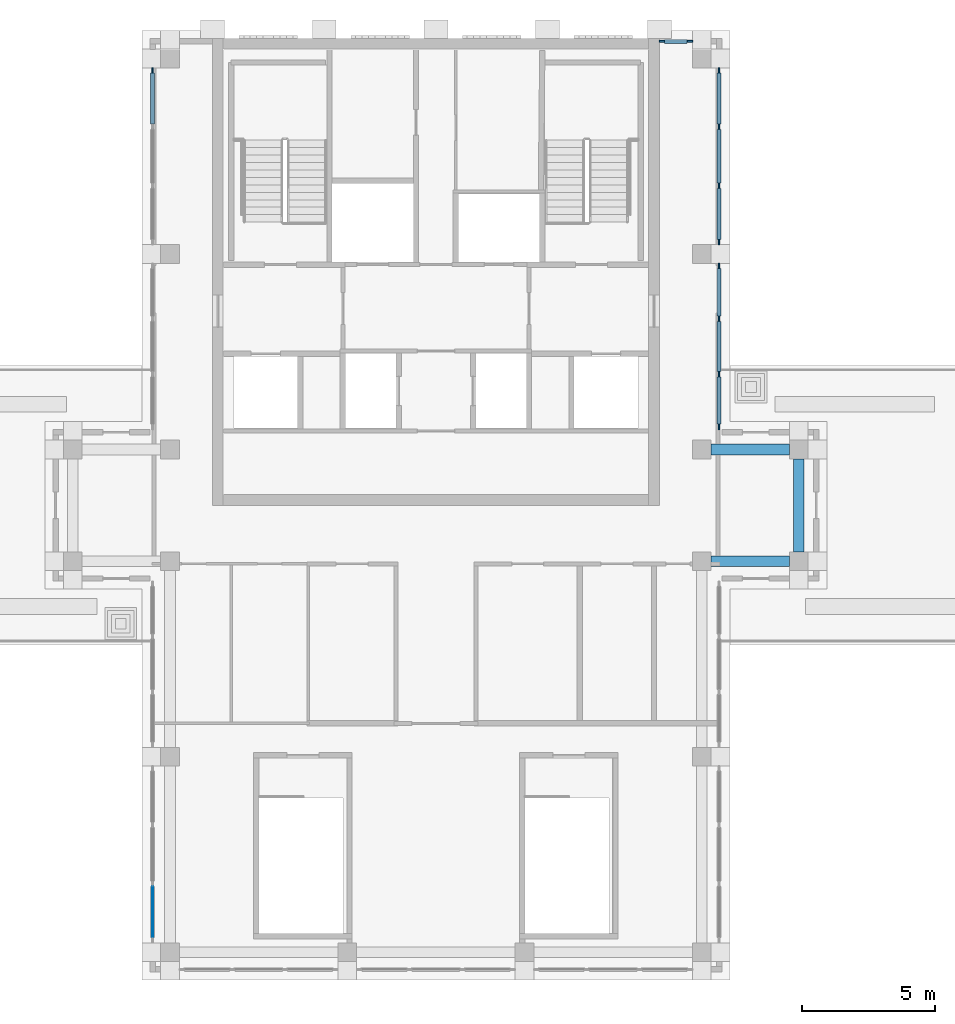
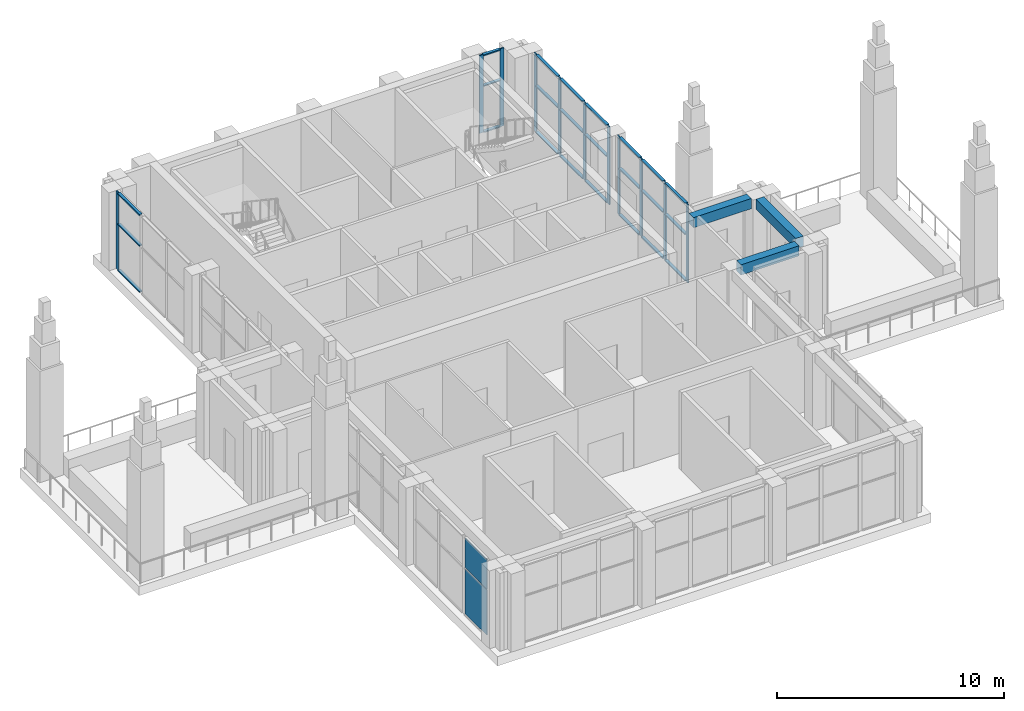
# One storey, part 4 of 12: 35 members, 3 beams, 2 plates, 5 elements without a shape of their own.
"""IFC4 building model written with IfcOpenShell, lengths in metres."""

import ifcopenshell
import ifcopenshell.guid

model = None  # the IFC model being written
_history = None  # IfcOwnerHistory: only IFC2X3 demands one
_inside = {}  # id of a spatial element -> (the spatial element, [elements in it])
_under = {}  # id of a project, library or spatial element -> (it, [spatial elements below it])
_declared = {}  # id of a project -> (the project, [libraries it declares])
_typed = {}  # id of a type object -> (the type object, [elements of that type])
_made_of = {}  # id of a material, layer set ... -> (it, [elements and type objects made of it])


def new_model(schema):
    """Start an empty IFC model of exactly this schema.

    Asked for "IFC4X3", IfcOpenShell would pick the latest addendum, in which some entities
    have other attributes; the version numbers below select the first issue.
    IFC2X3 requires an IfcOwnerHistory on every rooted entity: one is made here for all.
    """
    global model, _history
    if schema == "IFC4X3":
        model = ifcopenshell.file(schema_version=(4, 3, 0, 0))
    else:
        model = ifcopenshell.file(schema=schema)
    _inside.clear()
    _under.clear()
    _declared.clear()
    _typed.clear()
    _made_of.clear()
    _history = None
    if model.schema == "IFC2X3":
        org = make("IfcOrganization", Name="unknown")
        user = make(
            "IfcPersonAndOrganization",
            ThePerson=make("IfcPerson", FamilyName="unknown"),
            TheOrganization=org,
        )
        app = make(
            "IfcApplication",
            ApplicationDeveloper=org,
            Version="unknown",
            ApplicationFullName="unknown",
            ApplicationIdentifier="unknown",
        )
        _history = make(
            "IfcOwnerHistory",
            OwningUser=user,
            OwningApplication=app,
            ChangeAction="ADDED",
            CreationDate=0,
        )
    return model


def make(cls, **values):
    """One entity of the class cls with the attributes given. An attribute that is None is left unset."""
    return model.create_entity(
        cls, **{name: value for name, value in values.items() if value is not None}
    )


def rooted(cls, **values):
    """An entity with a GlobalId (a new one), such as an element, a storey or a relation."""
    return make(cls, GlobalId=ifcopenshell.guid.new(), OwnerHistory=_history, **values)


def si_unit(unit_type, name, prefix=None):
    """IfcSIUnit, for example si_unit("LENGTHUNIT", "METRE", prefix="MILLI")."""
    return make("IfcSIUnit", UnitType=unit_type, Prefix=prefix, Name=name)


def assignment(units):
    """IfcUnitAssignment: the units of a project."""
    return None if units is None else make("IfcUnitAssignment", Units=units)


def point(xyz):
    """IfcCartesianPoint."""
    return None if xyz is None else make("IfcCartesianPoint", Coordinates=xyz)


def direction(xyz):
    """IfcDirection."""
    return None if xyz is None else make("IfcDirection", DirectionRatios=xyz)


def frame(location, z_axis=None, x_axis=None):
    """IfcAxis2Placement3D, a coordinate frame: its origin and axes. An axis left out is left unset."""
    return make(
        "IfcAxis2Placement3D",
        Location=point(location),
        Axis=direction(z_axis),
        RefDirection=direction(x_axis),
    )


def frame_2d(location, x_axis=None):
    """IfcAxis2Placement2D, a coordinate frame in the plane: its origin and x axis."""
    return make(
        "IfcAxis2Placement2D", Location=point(location), RefDirection=direction(x_axis)
    )


def origin():
    """The frame at (0, 0, 0) with its axes left unset."""
    return frame((0.0, 0.0, 0.0))


def origin_2d():
    """The frame at (0, 0) in the plane with its x axis left unset."""
    return frame_2d((0.0, 0.0))


def place(relative_to, where):
    """IfcLocalPlacement: puts the frame where relative to a parent placement (None: the world)."""
    return make(
        "IfcLocalPlacement", PlacementRelTo=relative_to, RelativePlacement=where
    )


def context(
    kind, dimensions, precision=None, world=None, true_north=None, identifier=None
):
    """IfcGeometricRepresentationContext, for example the 3D "Model" context."""
    return make(
        "IfcGeometricRepresentationContext",
        ContextIdentifier=identifier,
        ContextType=kind,
        CoordinateSpaceDimension=dimensions,
        Precision=precision,
        WorldCoordinateSystem=world,
        TrueNorth=true_north,
    )


def subcontext(parent, identifier, kind, view, scale=None):
    """IfcGeometricRepresentationSubContext, for example "Body" below "Model"."""
    return make(
        "IfcGeometricRepresentationSubContext",
        ContextIdentifier=identifier,
        ContextType=kind,
        ParentContext=parent,
        TargetScale=scale,
        TargetView=view,
    )


def project(units=None, contexts=None):
    """IfcProject with its units and contexts."""
    return rooted(
        "IfcProject",
        Name="project",
        RepresentationContexts=contexts,
        UnitsInContext=assignment(units),
    )


def spatial(cls, under=None, at=None, **own):
    """A site, building, storey or space (cls), placed at a placement, below another one or the project."""
    s = rooted(cls, ObjectPlacement=at, **own)
    if under is not None:
        _under.setdefault(under.id(), (under, []))[1].append(s)
    return s


def profile(cls, at=None, kind="AREA", **sizes):
    """A parametric profile (cls). Its sizes go by their IFC names, for example OverallWidth=200.0."""
    return make(cls, ProfileType=kind, Position=at, **sizes)


def rectangle(**sizes):
    """IfcRectangleProfileDef."""
    return profile("IfcRectangleProfileDef", **sizes)


def extrude(swept, where, along, depth):
    """IfcExtrudedAreaSolid: the profile swept, set in the frame where, extruded along a direction by depth."""
    return make(
        "IfcExtrudedAreaSolid",
        SweptArea=swept,
        Position=where,
        ExtrudedDirection=direction(along),
        Depth=depth,
    )


def shape(context_of_items, identifier, shape_type, items):
    """IfcShapeRepresentation: the items that make up one representation, for example the "Body"."""
    return make(
        "IfcShapeRepresentation",
        ContextOfItems=context_of_items,
        RepresentationIdentifier=identifier,
        RepresentationType=shape_type,
        Items=items,
    )


def material(Name=None, Category=None):
    """IfcMaterial."""
    return make("IfcMaterial", Name=Name, Category=Category)


def layer(
    of_material, thickness, ventilated=None, Name=None, Category=None, Priority=None
):
    """IfcMaterialLayer: one layer of a wall or slab, of a material (None: an air gap)."""
    return make(
        "IfcMaterialLayer",
        Material=of_material,
        LayerThickness=thickness,
        IsVentilated=ventilated,
        Name=Name,
        Category=Category,
        Priority=Priority,
    )


def layer_set(layers, Name=None):
    """IfcMaterialLayerSet."""
    return make("IfcMaterialLayerSet", MaterialLayers=layers, LayerSetName=Name)


def material_profile(
    of_material, cross_section, Name=None, Category=None, Priority=None
):
    """IfcMaterialProfile: a cross section and its material."""
    return make(
        "IfcMaterialProfile",
        Name=Name,
        Material=of_material,
        Profile=cross_section,
        Priority=Priority,
        Category=Category,
    )


def profile_set(profiles, Name=None, composite=None):
    """IfcMaterialProfileSet."""
    return make(
        "IfcMaterialProfileSet",
        Name=Name,
        MaterialProfiles=profiles,
        CompositeProfile=composite,
    )


def made_of(thing, what):
    """Note that an element or type object is made of a material, layer set ...; save() writes the relation."""
    if what is not None:
        _made_of.setdefault(what.id(), (what, []))[1].append(thing)
    return thing


def type_object(cls, material=None, **own):
    """A type object (cls), such as IfcWallType, which elements share."""
    return made_of(rooted(cls, **own), material)


def element(
    cls,
    number,
    at=None,
    inside=None,
    cuts=None,
    type_object=None,
    material=None,
    context=None,
    identifier="Body",
    shape_type=None,
    held_by="IfcProductDefinitionShape",
    body=None,
    shapes=None,
    **own,
):
    """One element of the class cls, such as IfcWall. Its Tag is "e" and its number.

    at: its placement. inside: the storey or other place that contains it. cuts: it is an
    opening in that element (IfcRelVoidsElement). A single representation is given by context,
    identifier, shape_type and body (its items); several are given by shapes. held_by: the class
    of the entity that holds the representations. save() writes the other relations.
    """
    e = rooted(cls, Tag="e%d" % number, ObjectPlacement=at, **own)
    if body is not None:
        shapes = [shape(context, identifier, shape_type, body)]
    if shapes is not None:
        e.Representation = make(held_by, Representations=shapes)
    if inside is not None:
        _inside.setdefault(inside.id(), (inside, []))[1].append(e)
    if cuts is not None:
        rooted(
            "IfcRelVoidsElement", RelatingBuildingElement=cuts, RelatedOpeningElement=e
        )
    if type_object is not None:
        _typed.setdefault(type_object.id(), (type_object, []))[1].append(e)
    return made_of(e, material)


def aggregate(whole, parts):
    """IfcRelAggregates: a whole, such as a stair, and the parts it consists of."""
    return rooted("IfcRelAggregates", RelatingObject=whole, RelatedObjects=parts)


def save(model, path):
    """Write the relations noted so far, then the file.

    IfcRelAggregates (storeys below a building ...), IfcRelContainedInSpatialStructure (elements
    in a storey), IfcRelDefinesByType, IfcRelAssociatesMaterial and IfcRelDeclares: one each for
    every whole, place, type object, material and project.
    """
    for whole, parts in _under.values():
        aggregate(whole, parts)
    for where, things in _inside.values():
        rooted(
            "IfcRelContainedInSpatialStructure",
            RelatedElements=things,
            RelatingStructure=where,
        )
    for kind, things in _typed.values():
        rooted("IfcRelDefinesByType", RelatedObjects=things, RelatingType=kind)
    for what, things in _made_of.values():
        rooted("IfcRelAssociatesMaterial", RelatedObjects=things, RelatingMaterial=what)
    for by, libraries in _declared.values():
        rooted("IfcRelDeclares", RelatingContext=by, RelatedDefinitions=libraries)
    model.write(path)


model = new_model("IFC4")

# Units and contexts
model_context = context("Model", 3, precision=1e-05, world=origin(), true_north=direction((0.0, 1.0)))
body_context = subcontext(model_context, "Body", "Model", "MODEL_VIEW")
ifc_project = project(units=[si_unit("LENGTHUNIT", "METRE"), si_unit("AREAUNIT", "SQUARE_METRE"), si_unit("VOLUMEUNIT", "CUBIC_METRE"), si_unit("PLANEANGLEUNIT", "RADIAN"), si_unit("MASSUNIT", "GRAM", prefix="KILO")], contexts=[model_context])

# Site, building, storey
site_placement = place(None, origin())
site = spatial("IfcSite", under=ifc_project, at=site_placement, CompositionType="ELEMENT")
building_placement = place(site_placement, origin())
building = spatial("IfcBuilding", under=site, at=building_placement, Name="Vermilion Ogive Tower", CompositionType="ELEMENT")
storey_placement = place(building_placement, frame((0.0, 0.0, 298.35009765625)))
storey = spatial("IfcBuildingStorey", under=building, at=storey_placement, Name="L77", CompositionType="ELEMENT", Elevation=298.35009765625)

# Curtain wall, members
ifc_material_1 = material(Name="Low-iron laminated glazing in aluminium frame", Category="aluminium")
curtain_wall_type = type_object("IfcCurtainWallType", Name="Curtain wall CW3", PredefinedType="NOTDEFINED", material=ifc_material_1)
curtain_wall_1_placement = place(storey_placement, origin())
curtain_wall_1 = element("IfcCurtainWall", 1, at=curtain_wall_1_placement, inside=storey, type_object=curtain_wall_type, Name="CW3 glazing X41", PredefinedType="NOTDEFINED")
ifc_material_2 = material(Name="Aluminium mullion", Category="aluminium")
ifc_material_profile_1 = material_profile(ifc_material_2, rectangle(XDim=0.06005859375, YDim=0.199951171875, at=origin_2d()), Name="AL 60x200")
ifc_profile_set_1 = profile_set([ifc_material_profile_1], Name="Aluminium mullion")
member_type_1 = type_object("IfcMemberType", Name="CW3 mullion 60x200", PredefinedType="MULLION", material=ifc_profile_set_1)
member_1_placement = place(storey_placement, frame((10.64990234375, 7.14990234375, 0.0), z_axis=(0.0, 0.0, 1.0), x_axis=(-1.0, 0.0, 0.0)))
member_1 = element("IfcMember", 2, at=member_1_placement, type_object=member_type_1, Name="CW3-X41 mullion 1", PredefinedType="MULLION", context=body_context, shape_type="SweptSolid", body=[
    extrude(rectangle(XDim=0.06005859375, YDim=0.199951171875, at=origin_2d()), origin(), (0.0, 0.0, 1.0), 4.199951171875),
])
member_2_placement = place(storey_placement, frame((10.64990234375, 9.13330078125, 0.0), z_axis=(0.0, 0.0, 1.0), x_axis=(-1.0, 0.0, 0.0)))
member_2 = element("IfcMember", 3, at=member_2_placement, type_object=member_type_1, Name="CW3-X41 mullion 2", PredefinedType="MULLION", context=body_context, shape_type="SweptSolid", body=[
    extrude(rectangle(XDim=0.06005859375, YDim=0.199951171875, at=origin_2d()), origin(), (0.0, 0.0, 1.0), 4.199951171875),
])
member_3_placement = place(storey_placement, frame((10.64990234375, 11.216552734375, 0.0), z_axis=(0.0, 0.0, 1.0), x_axis=(-1.0, 0.0, 0.0)))
member_3 = element("IfcMember", 4, at=member_3_placement, type_object=member_type_1, Name="CW3-X41 mullion 3", PredefinedType="MULLION", context=body_context, shape_type="SweptSolid", body=[
    extrude(rectangle(XDim=0.06005859375, YDim=0.199951171875, at=origin_2d()), origin(), (0.0, 0.0, 1.0), 4.199951171875),
])
member_4_placement = place(storey_placement, frame((10.64990234375, 13.199951171875, 0.0), z_axis=(0.0, 0.0, 1.0), x_axis=(-1.0, 0.0, 0.0)))
member_4 = element("IfcMember", 5, at=member_4_placement, type_object=member_type_1, Name="CW3-X41 mullion 4", PredefinedType="MULLION", context=body_context, shape_type="SweptSolid", body=[
    extrude(rectangle(XDim=0.06005859375, YDim=0.199951171875, at=origin_2d()), origin(), (0.0, 0.0, 1.0), 4.199951171875),
])

curtain_wall_2_placement = place(storey_placement, origin())
curtain_wall_2 = element("IfcCurtainWall", 6, at=curtain_wall_2_placement, inside=storey, type_object=curtain_wall_type, Name="CW3 glazing X42", PredefinedType="NOTDEFINED")
member_5_placement = place(storey_placement, frame((10.64990234375, 14.10009765625, 0.0), z_axis=(0.0, 0.0, 1.0), x_axis=(-1.0, 0.0, 0.0)))
member_5 = element("IfcMember", 7, at=member_5_placement, type_object=member_type_1, Name="CW3-X42 mullion 1", PredefinedType="MULLION", context=body_context, shape_type="SweptSolid", body=[
    extrude(rectangle(XDim=0.06005859375, YDim=0.199951171875, at=origin_2d()), origin(), (0.0, 0.0, 1.0), 4.199951171875),
])
member_6_placement = place(storey_placement, frame((10.64990234375, 16.216552734375, 0.0), z_axis=(0.0, 0.0, 1.0), x_axis=(-1.0, 0.0, 0.0)))
member_6 = element("IfcMember", 8, at=member_6_placement, type_object=member_type_1, Name="CW3-X42 mullion 2", PredefinedType="MULLION", context=body_context, shape_type="SweptSolid", body=[
    extrude(rectangle(XDim=0.06005859375, YDim=0.199951171875, at=origin_2d()), origin(), (0.0, 0.0, 1.0), 4.199951171875),
])
member_7_placement = place(storey_placement, frame((10.64990234375, 18.433349609375, 0.0), z_axis=(0.0, 0.0, 1.0), x_axis=(-1.0, 0.0, 0.0)))
member_7 = element("IfcMember", 9, at=member_7_placement, type_object=member_type_1, Name="CW3-X42 mullion 3", PredefinedType="MULLION", context=body_context, shape_type="SweptSolid", body=[
    extrude(rectangle(XDim=0.06005859375, YDim=0.199951171875, at=origin_2d()), origin(), (0.0, 0.0, 1.0), 4.199951171875),
])
member_8_placement = place(storey_placement, frame((10.64990234375, 20.550048828125, 0.0), z_axis=(0.0, 0.0, 1.0), x_axis=(-1.0, 0.0, 0.0)))
member_8 = element("IfcMember", 10, at=member_8_placement, type_object=member_type_1, Name="CW3-X42 mullion 4", PredefinedType="MULLION", context=body_context, shape_type="SweptSolid", body=[
    extrude(rectangle(XDim=0.06005859375, YDim=0.199951171875, at=origin_2d()), origin(), (0.0, 0.0, 1.0), 4.199951171875),
])

curtain_wall_3_placement = place(storey_placement, origin())
curtain_wall_3 = element("IfcCurtainWall", 11, at=curtain_wall_3_placement, inside=storey, type_object=curtain_wall_type, Name="CW3 glazing N12", PredefinedType="NOTDEFINED")
member_9_placement = place(storey_placement, frame((9.550048828125, 21.64990234375, 0.0), z_axis=(0.0, 0.0, 1.0), x_axis=(0.0, -1.0, 0.0)))
member_9 = element("IfcMember", 12, at=member_9_placement, type_object=member_type_1, Name="CW3-N12 mullion 1", PredefinedType="MULLION", context=body_context, shape_type="SweptSolid", body=[
    extrude(rectangle(XDim=0.06005859375, YDim=0.199951171875, at=origin_2d()), origin(), (0.0, 0.0, 1.0), 4.199951171875),
])
member_10_placement = place(storey_placement, frame((8.5, 21.64990234375, 0.0), z_axis=(0.0, 0.0, 1.0), x_axis=(0.0, -1.0, 0.0)))
member_10 = element("IfcMember", 13, at=member_10_placement, type_object=member_type_1, Name="CW3-N12 mullion 2", PredefinedType="MULLION", context=body_context, shape_type="SweptSolid", body=[
    extrude(rectangle(XDim=0.06005859375, YDim=0.199951171875, at=origin_2d()), origin(), (0.0, 0.0, 1.0), 4.199951171875),
])

# Curtain wall, member
curtain_wall_4_placement = place(storey_placement, origin())
curtain_wall_4 = element("IfcCurtainWall", 14, at=curtain_wall_4_placement, inside=storey, type_object=curtain_wall_type, Name="CW3 glazing X52", PredefinedType="NOTDEFINED")
member_11_placement = place(storey_placement, frame((-10.64990234375, 20.550048828125, 0.0), z_axis=(0.0, 0.0, 1.0), x_axis=(1.0, 0.0, 0.0)))
member_11 = element("IfcMember", 15, at=member_11_placement, type_object=member_type_1, Name="CW3-X52 mullion 1", PredefinedType="MULLION", context=body_context, shape_type="SweptSolid", body=[
    extrude(rectangle(XDim=0.06005859375, YDim=0.199951171875, at=origin_2d()), origin(), (0.0, 0.0, 1.0), 4.199951171875),
])

# Member
ifc_material_3 = material(Name="Aluminium transom", Category="aluminium")
ifc_material_profile_2 = material_profile(ifc_material_3, rectangle(XDim=0.14990234375, YDim=0.06005859375, at=origin_2d()), Name="AL 60x150")
ifc_profile_set_2 = profile_set([ifc_material_profile_2], Name="Aluminium transom")
member_type_2 = type_object("IfcMemberType", Name="CW3 transom 60x150", PredefinedType="USERDEFINED", material=ifc_profile_set_2)
member_12_placement = place(storey_placement, frame((10.64990234375, 7.25, 0.02978515625), z_axis=(0.0, 1.0, 0.0), x_axis=(-1.0, 0.0, 0.0)))
member_12 = element("IfcMember", 16, at=member_12_placement, type_object=member_type_2, Name="CW3-X41 transom 1.1", ObjectType="TRANSOM", PredefinedType="USERDEFINED", context=body_context, shape_type="SweptSolid", body=[
    extrude(rectangle(XDim=0.14990234375, YDim=0.06005859375, at=origin_2d()), origin(), (0.0, 0.0, 1.0), 1.783447265625),
])

member_13_placement = place(storey_placement, frame((10.64990234375, 7.25, 2.52001953125), z_axis=(0.0, 1.0, 0.0), x_axis=(-1.0, 0.0, 0.0)))
member_13 = element("IfcMember", 17, at=member_13_placement, type_object=member_type_2, Name="CW3-X41 transom 1.2", ObjectType="TRANSOM", PredefinedType="USERDEFINED", context=body_context, shape_type="SweptSolid", body=[
    extrude(rectangle(XDim=0.14990234375, YDim=0.06005859375, at=origin_2d()), origin(), (0.0, 0.0, 1.0), 1.783447265625),
])

member_14_placement = place(storey_placement, frame((10.64990234375, 7.25, 4.169921875), z_axis=(0.0, 1.0, 0.0), x_axis=(-1.0, 0.0, 0.0)))
member_14 = element("IfcMember", 18, at=member_14_placement, type_object=member_type_2, Name="CW3-X41 transom 1.3", ObjectType="TRANSOM", PredefinedType="USERDEFINED", context=body_context, shape_type="SweptSolid", body=[
    extrude(rectangle(XDim=0.14990234375, YDim=0.06005859375, at=origin_2d()), origin(), (0.0, 0.0, 1.0), 1.783447265625),
])

member_15_placement = place(storey_placement, frame((10.64990234375, 9.2333984375, 0.02978515625), z_axis=(0.0, 1.0, 0.0), x_axis=(-1.0, 0.0, 0.0)))
member_15 = element("IfcMember", 19, at=member_15_placement, type_object=member_type_2, Name="CW3-X41 transom 2.1", ObjectType="TRANSOM", PredefinedType="USERDEFINED", context=body_context, shape_type="SweptSolid", body=[
    extrude(rectangle(XDim=0.14990234375, YDim=0.06005859375, at=origin_2d()), origin(), (0.0, 0.0, 1.0), 1.88330078125),
])

member_16_placement = place(storey_placement, frame((10.64990234375, 9.2333984375, 2.52001953125), z_axis=(0.0, 1.0, 0.0), x_axis=(-1.0, 0.0, 0.0)))
member_16 = element("IfcMember", 20, at=member_16_placement, type_object=member_type_2, Name="CW3-X41 transom 2.2", ObjectType="TRANSOM", PredefinedType="USERDEFINED", context=body_context, shape_type="SweptSolid", body=[
    extrude(rectangle(XDim=0.14990234375, YDim=0.06005859375, at=origin_2d()), origin(), (0.0, 0.0, 1.0), 1.88330078125),
])

member_17_placement = place(storey_placement, frame((10.64990234375, 9.2333984375, 4.169921875), z_axis=(0.0, 1.0, 0.0), x_axis=(-1.0, 0.0, 0.0)))
member_17 = element("IfcMember", 21, at=member_17_placement, type_object=member_type_2, Name="CW3-X41 transom 2.3", ObjectType="TRANSOM", PredefinedType="USERDEFINED", context=body_context, shape_type="SweptSolid", body=[
    extrude(rectangle(XDim=0.14990234375, YDim=0.06005859375, at=origin_2d()), origin(), (0.0, 0.0, 1.0), 1.88330078125),
])

member_18_placement = place(storey_placement, frame((10.64990234375, 11.316650390625, 0.02978515625), z_axis=(0.0, 1.0, 0.0), x_axis=(-1.0, 0.0, 0.0)))
member_18 = element("IfcMember", 22, at=member_18_placement, type_object=member_type_2, Name="CW3-X41 transom 3.1", ObjectType="TRANSOM", PredefinedType="USERDEFINED", context=body_context, shape_type="SweptSolid", body=[
    extrude(rectangle(XDim=0.14990234375, YDim=0.06005859375, at=origin_2d()), origin(), (0.0, 0.0, 1.0), 1.783447265625),
])

member_19_placement = place(storey_placement, frame((10.64990234375, 11.316650390625, 2.52001953125), z_axis=(0.0, 1.0, 0.0), x_axis=(-1.0, 0.0, 0.0)))
member_19 = element("IfcMember", 23, at=member_19_placement, type_object=member_type_2, Name="CW3-X41 transom 3.2", ObjectType="TRANSOM", PredefinedType="USERDEFINED", context=body_context, shape_type="SweptSolid", body=[
    extrude(rectangle(XDim=0.14990234375, YDim=0.06005859375, at=origin_2d()), origin(), (0.0, 0.0, 1.0), 1.783447265625),
])

member_20_placement = place(storey_placement, frame((10.64990234375, 11.316650390625, 4.169921875), z_axis=(0.0, 1.0, 0.0), x_axis=(-1.0, 0.0, 0.0)))
member_20 = element("IfcMember", 24, at=member_20_placement, type_object=member_type_2, Name="CW3-X41 transom 3.3", ObjectType="TRANSOM", PredefinedType="USERDEFINED", context=body_context, shape_type="SweptSolid", body=[
    extrude(rectangle(XDim=0.14990234375, YDim=0.06005859375, at=origin_2d()), origin(), (0.0, 0.0, 1.0), 1.783447265625),
])

aggregate(curtain_wall_1, [member_1, member_2, member_3, member_4, member_12, member_13, member_14, member_15, member_16, member_17, member_18, member_19, member_20])

member_21_placement = place(storey_placement, frame((10.64990234375, 14.199951171875, 0.02978515625), z_axis=(0.0, 1.0, 0.0), x_axis=(-1.0, 0.0, 0.0)))
member_21 = element("IfcMember", 25, at=member_21_placement, type_object=member_type_2, Name="CW3-X42 transom 1.1", ObjectType="TRANSOM", PredefinedType="USERDEFINED", context=body_context, shape_type="SweptSolid", body=[
    extrude(rectangle(XDim=0.14990234375, YDim=0.06005859375, at=origin_2d()), origin(), (0.0, 0.0, 1.0), 1.916748046875),
])

member_22_placement = place(storey_placement, frame((10.64990234375, 14.199951171875, 2.52001953125), z_axis=(0.0, 1.0, 0.0), x_axis=(-1.0, 0.0, 0.0)))
member_22 = element("IfcMember", 26, at=member_22_placement, type_object=member_type_2, Name="CW3-X42 transom 1.2", ObjectType="TRANSOM", PredefinedType="USERDEFINED", context=body_context, shape_type="SweptSolid", body=[
    extrude(rectangle(XDim=0.14990234375, YDim=0.06005859375, at=origin_2d()), origin(), (0.0, 0.0, 1.0), 1.916748046875),
])

member_23_placement = place(storey_placement, frame((10.64990234375, 14.199951171875, 4.169921875), z_axis=(0.0, 1.0, 0.0), x_axis=(-1.0, 0.0, 0.0)))
member_23 = element("IfcMember", 27, at=member_23_placement, type_object=member_type_2, Name="CW3-X42 transom 1.3", ObjectType="TRANSOM", PredefinedType="USERDEFINED", context=body_context, shape_type="SweptSolid", body=[
    extrude(rectangle(XDim=0.14990234375, YDim=0.06005859375, at=origin_2d()), origin(), (0.0, 0.0, 1.0), 1.916748046875),
])

member_24_placement = place(storey_placement, frame((10.64990234375, 16.316650390625, 0.02978515625), z_axis=(0.0, 1.0, 0.0), x_axis=(-1.0, 0.0, 0.0)))
member_24 = element("IfcMember", 28, at=member_24_placement, type_object=member_type_2, Name="CW3-X42 transom 2.1", ObjectType="TRANSOM", PredefinedType="USERDEFINED", context=body_context, shape_type="SweptSolid", body=[
    extrude(rectangle(XDim=0.14990234375, YDim=0.06005859375, at=origin_2d()), origin(), (0.0, 0.0, 1.0), 2.0166015625),
])

member_25_placement = place(storey_placement, frame((10.64990234375, 16.316650390625, 2.52001953125), z_axis=(0.0, 1.0, 0.0), x_axis=(-1.0, 0.0, 0.0)))
member_25 = element("IfcMember", 29, at=member_25_placement, type_object=member_type_2, Name="CW3-X42 transom 2.2", ObjectType="TRANSOM", PredefinedType="USERDEFINED", context=body_context, shape_type="SweptSolid", body=[
    extrude(rectangle(XDim=0.14990234375, YDim=0.06005859375, at=origin_2d()), origin(), (0.0, 0.0, 1.0), 2.0166015625),
])

member_26_placement = place(storey_placement, frame((10.64990234375, 16.316650390625, 4.169921875), z_axis=(0.0, 1.0, 0.0), x_axis=(-1.0, 0.0, 0.0)))
member_26 = element("IfcMember", 30, at=member_26_placement, type_object=member_type_2, Name="CW3-X42 transom 2.3", ObjectType="TRANSOM", PredefinedType="USERDEFINED", context=body_context, shape_type="SweptSolid", body=[
    extrude(rectangle(XDim=0.14990234375, YDim=0.06005859375, at=origin_2d()), origin(), (0.0, 0.0, 1.0), 2.0166015625),
])

member_27_placement = place(storey_placement, frame((10.64990234375, 18.533447265625, 0.02978515625), z_axis=(0.0, 1.0, 0.0), x_axis=(-1.0, 0.0, 0.0)))
member_27 = element("IfcMember", 31, at=member_27_placement, type_object=member_type_2, Name="CW3-X42 transom 3.1", ObjectType="TRANSOM", PredefinedType="USERDEFINED", context=body_context, shape_type="SweptSolid", body=[
    extrude(rectangle(XDim=0.14990234375, YDim=0.06005859375, at=origin_2d()), origin(), (0.0, 0.0, 1.0), 1.91650390625),
])

member_28_placement = place(storey_placement, frame((10.64990234375, 18.533447265625, 2.52001953125), z_axis=(0.0, 1.0, 0.0), x_axis=(-1.0, 0.0, 0.0)))
member_28 = element("IfcMember", 32, at=member_28_placement, type_object=member_type_2, Name="CW3-X42 transom 3.2", ObjectType="TRANSOM", PredefinedType="USERDEFINED", context=body_context, shape_type="SweptSolid", body=[
    extrude(rectangle(XDim=0.14990234375, YDim=0.06005859375, at=origin_2d()), origin(), (0.0, 0.0, 1.0), 1.91650390625),
])

member_29_placement = place(storey_placement, frame((10.64990234375, 18.533447265625, 4.169921875), z_axis=(0.0, 1.0, 0.0), x_axis=(-1.0, 0.0, 0.0)))
member_29 = element("IfcMember", 33, at=member_29_placement, type_object=member_type_2, Name="CW3-X42 transom 3.3", ObjectType="TRANSOM", PredefinedType="USERDEFINED", context=body_context, shape_type="SweptSolid", body=[
    extrude(rectangle(XDim=0.14990234375, YDim=0.06005859375, at=origin_2d()), origin(), (0.0, 0.0, 1.0), 1.91650390625),
])

aggregate(curtain_wall_2, [member_5, member_6, member_7, member_8, member_21, member_22, member_23, member_24, member_25, member_26, member_27, member_28, member_29])

member_30_placement = place(storey_placement, frame((9.449951171875, 21.64990234375, 0.02978515625), z_axis=(-1.0, 0.0, 0.0), x_axis=(0.0, -1.0, 0.0)))
member_30 = element("IfcMember", 34, at=member_30_placement, type_object=member_type_2, Name="CW3-N12 transom 1.1", ObjectType="TRANSOM", PredefinedType="USERDEFINED", context=body_context, shape_type="SweptSolid", body=[
    extrude(rectangle(XDim=0.14990234375, YDim=0.06005859375, at=origin_2d()), origin(), (0.0, 0.0, 1.0), 0.849853515625),
])

member_31_placement = place(storey_placement, frame((9.449951171875, 21.64990234375, 2.52001953125), z_axis=(-1.0, 0.0, 0.0), x_axis=(0.0, -1.0, 0.0)))
member_31 = element("IfcMember", 35, at=member_31_placement, type_object=member_type_2, Name="CW3-N12 transom 1.2", ObjectType="TRANSOM", PredefinedType="USERDEFINED", context=body_context, shape_type="SweptSolid", body=[
    extrude(rectangle(XDim=0.14990234375, YDim=0.06005859375, at=origin_2d()), origin(), (0.0, 0.0, 1.0), 0.849853515625),
])

member_32_placement = place(storey_placement, frame((9.449951171875, 21.64990234375, 4.169921875), z_axis=(-1.0, 0.0, 0.0), x_axis=(0.0, -1.0, 0.0)))
member_32 = element("IfcMember", 36, at=member_32_placement, type_object=member_type_2, Name="CW3-N12 transom 1.3", ObjectType="TRANSOM", PredefinedType="USERDEFINED", context=body_context, shape_type="SweptSolid", body=[
    extrude(rectangle(XDim=0.14990234375, YDim=0.06005859375, at=origin_2d()), origin(), (0.0, 0.0, 1.0), 0.849853515625),
])

aggregate(curtain_wall_3, [member_9, member_10, member_30, member_31, member_32])

member_33_placement = place(storey_placement, frame((-10.64990234375, 20.449951171875, 0.02978515625), z_axis=(0.0, -1.0, 0.0), x_axis=(1.0, 0.0, 0.0)))
member_33 = element("IfcMember", 37, at=member_33_placement, type_object=member_type_2, Name="CW3-X52 transom 1.1", ObjectType="TRANSOM", PredefinedType="USERDEFINED", context=body_context, shape_type="SweptSolid", body=[
    extrude(rectangle(XDim=0.14990234375, YDim=0.06005859375, at=origin_2d()), origin(), (0.0, 0.0, 1.0), 1.91650390625),
])

member_34_placement = place(storey_placement, frame((-10.64990234375, 20.449951171875, 2.52001953125), z_axis=(0.0, -1.0, 0.0), x_axis=(1.0, 0.0, 0.0)))
member_34 = element("IfcMember", 38, at=member_34_placement, type_object=member_type_2, Name="CW3-X52 transom 1.2", ObjectType="TRANSOM", PredefinedType="USERDEFINED", context=body_context, shape_type="SweptSolid", body=[
    extrude(rectangle(XDim=0.14990234375, YDim=0.06005859375, at=origin_2d()), origin(), (0.0, 0.0, 1.0), 1.91650390625),
])

member_35_placement = place(storey_placement, frame((-10.64990234375, 20.449951171875, 4.169921875), z_axis=(0.0, -1.0, 0.0), x_axis=(1.0, 0.0, 0.0)))
member_35 = element("IfcMember", 39, at=member_35_placement, type_object=member_type_2, Name="CW3-X52 transom 1.3", ObjectType="TRANSOM", PredefinedType="USERDEFINED", context=body_context, shape_type="SweptSolid", body=[
    extrude(rectangle(XDim=0.14990234375, YDim=0.06005859375, at=origin_2d()), origin(), (0.0, 0.0, 1.0), 1.91650390625),
])

aggregate(curtain_wall_4, [member_11, member_33, member_34, member_35])

# Beams
ifc_material_4 = material(Name="Concrete B45", Category="concrete")
ifc_material_profile_3 = material_profile(ifc_material_4, rectangle(XDim=0.39990234375, YDim=0.550048828125, at=origin_2d()), Name="400 x 550")
ifc_profile_set_3 = profile_set([ifc_material_profile_3], Name="Concrete B45")
beam_type = type_object("IfcBeamType", Name="Edge beam 400 x 550 B45", PredefinedType="BEAM", material=ifc_profile_set_3)
beam_1_placement = place(storey_placement, frame((10.35009765625, 2.10009765625, 3.9248046875), z_axis=(1.0, 0.0, 0.0), x_axis=(0.0, 1.0, 0.0)))
element("IfcBeam", 40, at=beam_1_placement, inside=storey, type_object=beam_type, Name="L77-EB-6", PredefinedType="BEAM", context=body_context, shape_type="SweptSolid", body=[
    extrude(rectangle(XDim=0.39990234375, YDim=0.550048828125, at=origin_2d()), origin(), (0.0, 0.0, 1.0), 2.949951171875),
])
beam_2_placement = place(storey_placement, frame((13.64990234375, 2.449951171875, 3.9248046875), z_axis=(0.0, 1.0, 0.0), x_axis=(-1.0, 0.0, 0.0)))
element("IfcBeam", 41, at=beam_2_placement, inside=storey, type_object=beam_type, Name="L77-EB-7", PredefinedType="BEAM", context=body_context, shape_type="SweptSolid", body=[
    extrude(rectangle(XDim=0.39990234375, YDim=0.550048828125, at=origin_2d()), origin(), (0.0, 0.0, 1.0), 3.5),
])
beam_3_placement = place(storey_placement, frame((13.300048828125, 6.300048828125, 3.9248046875), z_axis=(-1.0, 0.0, 0.0), x_axis=(0.0, -1.0, 0.0)))
element("IfcBeam", 42, at=beam_3_placement, inside=storey, type_object=beam_type, Name="L77-EB-8", PredefinedType="BEAM", context=body_context, shape_type="SweptSolid", body=[
    extrude(rectangle(XDim=0.39990234375, YDim=0.550048828125, at=origin_2d()), origin(), (0.0, 0.0, 1.0), 2.949951171875),
])

# Curtain wall, plates
curtain_wall_5_placement = place(storey_placement, origin())
curtain_wall_5 = element("IfcCurtainWall", 43, at=curtain_wall_5_placement, inside=storey, type_object=curtain_wall_type, Name="CW3 glazing X82", PredefinedType="NOTDEFINED")
ifc_material_5 = material(Name="Low-iron laminated glazing in aluminium frame", Category="aluminium")
ifc_layer = layer(ifc_material_5, 0.035888671875)
ifc_layer_set = layer_set([ifc_layer], Name="CW3 glazing panel 36")
plate_type = type_object("IfcPlateType", Name="CW3 glazing panel 36", PredefinedType="CURTAIN_PANEL", material=ifc_layer_set)
plate_1_placement = place(storey_placement, frame((-10.64990234375, -11.091552734375, 0.06005859375), z_axis=(0.0, 0.0, 1.0), x_axis=(0.0, -1.0, 0.0)))
plate_1 = element("IfcPlate", 44, at=plate_1_placement, type_object=plate_type, Name="CW3-X82 panel 3.1", PredefinedType="CURTAIN_PANEL", context=body_context, shape_type="SweptSolid", body=[
    extrude(rectangle(XDim=1.916748046875, YDim=0.035888671875, at=origin_2d()), origin(), (0.0, 0.0, 1.0), 2.429931640625),
])
plate_2_placement = place(storey_placement, frame((-10.64990234375, -11.091552734375, 2.5498046875), z_axis=(0.0, 0.0, 1.0), x_axis=(0.0, -1.0, 0.0)))
plate_2 = element("IfcPlate", 45, at=plate_2_placement, type_object=plate_type, Name="CW3-X82 panel 3.2", PredefinedType="CURTAIN_PANEL", context=body_context, shape_type="SweptSolid", body=[
    extrude(rectangle(XDim=1.916748046875, YDim=0.035888671875, at=origin_2d()), origin(), (0.0, 0.0, 1.0), 1.590087890625),
])
aggregate(curtain_wall_5, [plate_1, plate_2])

save(model, "model.ifc")
